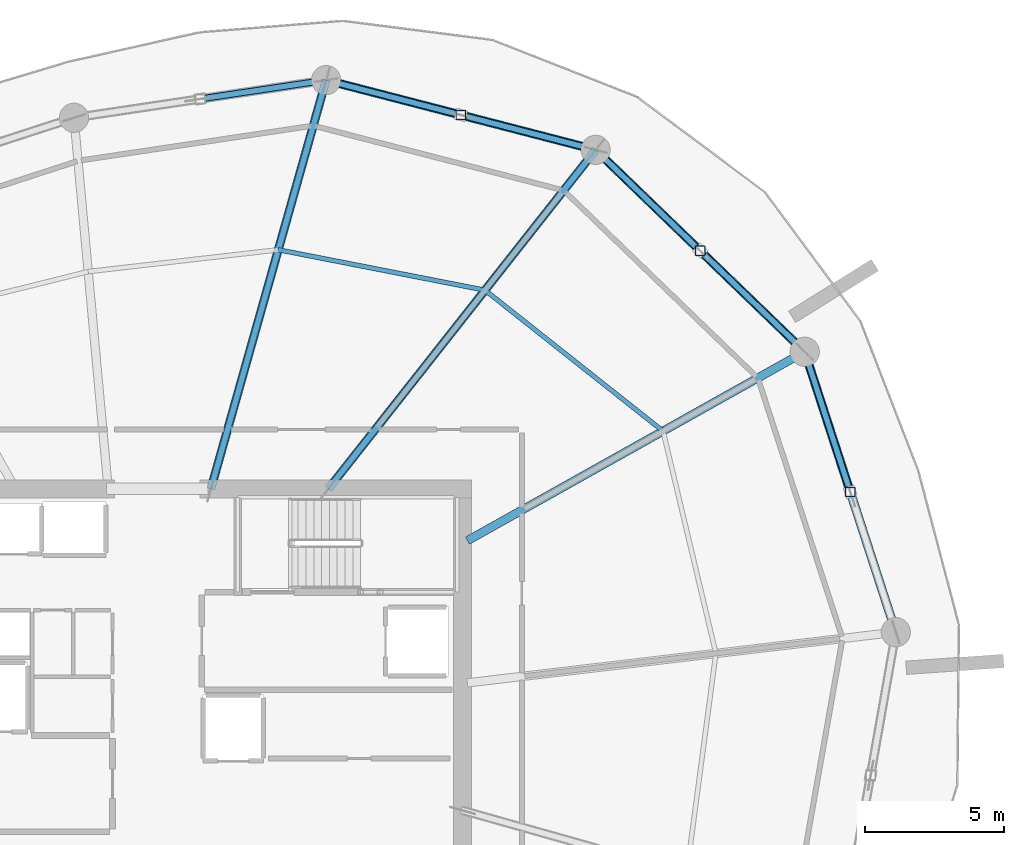
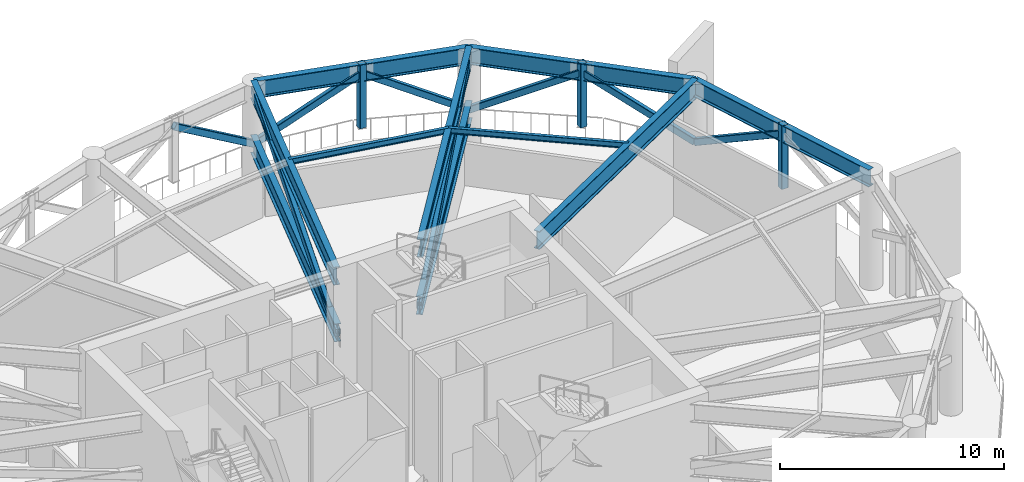
# One storey, part 8 of 20: 11 members, 10 beams.
"""IFC4 building model written with IfcOpenShell, lengths in metres."""

from ifc_helpers import new_model, si_unit, direction, frame, origin, origin_2d, place, context, subcontext, project, spatial, hollow_rectangle, i_section, extrude, material, material_profile, profile_set, type_object, element, save


model = new_model("IFC4")

# Units and contexts
model_context = context("Model", 3, precision=1e-05, world=origin(), true_north=direction((0.0, 1.0)))
body_context = subcontext(model_context, "Body", "Model", "MODEL_VIEW")
ifc_project = project(units=[si_unit("LENGTHUNIT", "METRE"), si_unit("AREAUNIT", "SQUARE_METRE"), si_unit("VOLUMEUNIT", "CUBIC_METRE"), si_unit("PLANEANGLEUNIT", "RADIAN"), si_unit("MASSUNIT", "GRAM", prefix="KILO")], contexts=[model_context])

# Site, building, storey
site_placement = place(None, origin())
site = spatial("IfcSite", under=ifc_project, at=site_placement, CompositionType="ELEMENT")
building_placement = place(site_placement, origin())
building = spatial("IfcBuilding", under=site, at=building_placement, Name="Kazma Halo Residences", CompositionType="ELEMENT")
storey_placement = place(building_placement, frame((0.0, 0.0, 225.300048828125)))
storey = spatial("IfcBuildingStorey", under=building, at=storey_placement, Name="L57", CompositionType="ELEMENT", Elevation=225.300048828125)

# Beams
ifc_material = material(Name="Steel S355", Category="steel")
ifc_material_profile_1 = material_profile(ifc_material, i_section(OverallWidth=0.30908203125, OverallDepth=0.931884765625, WebThickness=0.02099609375, FlangeThickness=0.034423828125, FilletRadius=0.02392578125, at=origin_2d()), Name="W920x313")
ifc_profile_set_1 = profile_set([ifc_material_profile_1], Name="Steel S355")
beam_type_1 = type_object("IfcBeamType", Name="BM-BELT-W920A", PredefinedType="BEAM", material=ifc_profile_set_1)
beam_1_placement = place(storey_placement, frame((71.647705078125, 55.243408203125, 5.81396484375), z_axis=(-0.719341330106, 0.694656786335, 0.0), x_axis=(-0.694656786335, -0.719341330106, 0.0)))
element("IfcBeam", 1, at=beam_1_placement, inside=storey, type_object=beam_type_1, Name="L57 perimeter ring beam 01", PredefinedType="BEAM", context=body_context, shape_type="SweptSolid", body=[
    extrude(i_section(OverallWidth=0.30908203125, OverallDepth=0.931884765625, WebThickness=0.02099609375, FlangeThickness=0.034423828125, FilletRadius=0.02392578125, at=origin_2d()), origin(), (0.0, 0.0, 1.0), 10.424560546875),
])
beam_2_placement = place(storey_placement, frame((64.14892578125, 62.48486328125, 5.81396484375), z_axis=(-0.968126571525, 0.25046145713, 0.0), x_axis=(-0.25046145713, -0.968126571525, 0.0)))
element("IfcBeam", 2, at=beam_2_placement, inside=storey, type_object=beam_type_1, Name="L57 perimeter ring beam 02", PredefinedType="BEAM", context=body_context, shape_type="SweptSolid", body=[
    extrude(i_section(OverallWidth=0.30908203125, OverallDepth=0.931884765625, WebThickness=0.02099609375, FlangeThickness=0.034423828125, FilletRadius=0.02392578125, at=origin_2d()), origin(), (0.0, 0.0, 1.0), 9.984619140625),
])
beam_3_placement = place(storey_placement, frame((74.91552734375, 45.185791015625, 5.81396484375), z_axis=(-0.309008812801, 0.951059174611, 0.0), x_axis=(-0.951059174611, -0.309008812801, 0.0)))
element("IfcBeam", 3, at=beam_3_placement, inside=storey, type_object=beam_type_1, Name="L57 perimeter ring beam 16", PredefinedType="BEAM", context=body_context, shape_type="SweptSolid", body=[
    extrude(i_section(OverallWidth=0.30908203125, OverallDepth=0.931884765625, WebThickness=0.02099609375, FlangeThickness=0.034423828125, FilletRadius=0.02392578125, at=origin_2d()), origin(), (0.0, 0.0, 1.0), 10.5751953125),
])
ifc_material_profile_2 = material_profile(ifc_material, i_section(OverallWidth=0.300048828125, OverallDepth=0.98193359375, WebThickness=0.0166015625, FlangeThickness=0.032958984375, FilletRadius=0.02587890625, at=origin_2d()), Name="W1000x296")
ifc_profile_set_2 = profile_set([ifc_material_profile_2], Name="Steel S355")
beam_type_2 = type_object("IfcBeamType", Name="BM-OUTR-W1000C", PredefinedType="BEAM", material=ifc_profile_set_2)
beam_4_placement = place(storey_placement, frame((59.550048828125, 48.46826171875, 5.7890625), z_axis=(0.872491903768, 0.488628568402, 0.0), x_axis=(-0.488628568402, 0.872491903768, 0.0)))
element("IfcBeam", 4, at=beam_4_placement, inside=storey, type_object=beam_type_2, Name="L57 radial floor beam 01", PredefinedType="BEAM", context=body_context, shape_type="SweptSolid", body=[
    extrude(i_section(OverallWidth=0.300048828125, OverallDepth=0.98193359375, WebThickness=0.0166015625, FlangeThickness=0.032958984375, FilletRadius=0.02587890625, at=origin_2d()), origin(), (0.0, 0.0, 1.0), 13.86572265625),
])
beam_5_placement = place(storey_placement, frame((54.700927734375, 50.5, 5.7890625), z_axis=(0.619089651904, 0.785320318663, 0.0), x_axis=(-0.785320318663, 0.619089651904, 0.0)))
element("IfcBeam", 5, at=beam_5_placement, inside=storey, type_object=beam_type_2, Name="L57 radial floor beam 02", PredefinedType="BEAM", context=body_context, shape_type="SweptSolid", body=[
    extrude(i_section(OverallWidth=0.300048828125, OverallDepth=0.98193359375, WebThickness=0.0166015625, FlangeThickness=0.032958984375, FilletRadius=0.02587890625, at=origin_2d()), origin(), (0.0, 0.0, 1.0), 15.26123046875),
])
beam_6_placement = place(storey_placement, frame((50.397216796875, 50.5, 5.7890625), z_axis=(0.27144590968, 0.96245369661, 0.0), x_axis=(-0.96245369661, 0.27144590968, 0.0)))
element("IfcBeam", 6, at=beam_6_placement, inside=storey, type_object=beam_type_2, Name="L57 radial floor beam 03", PredefinedType="BEAM", context=body_context, shape_type="SweptSolid", body=[
    extrude(i_section(OverallWidth=0.300048828125, OverallDepth=0.98193359375, WebThickness=0.0166015625, FlangeThickness=0.032958984375, FilletRadius=0.02587890625, at=origin_2d()), origin(), (0.0, 0.0, 1.0), 15.05078125),
])
beam_7_placement = place(storey_placement, frame((54.56298828125, 50.324951171875, 2.820068359375), z_axis=(0.61908740697, 0.785322088401, 0.0), x_axis=(-0.785322088401, 0.61908740697, 0.0)))
element("IfcBeam", 7, at=beam_7_placement, inside=storey, type_object=beam_type_2, Name="L57 radial outrigger bottom chord 01", PredefinedType="BEAM", context=body_context, shape_type="SweptSolid", body=[
    extrude(i_section(OverallWidth=0.300048828125, OverallDepth=0.98193359375, WebThickness=0.0166015625, FlangeThickness=0.032958984375, FilletRadius=0.02587890625, at=origin_2d()), origin(), (0.0, 0.0, 1.0), 15.48388671875),
])
beam_8_placement = place(storey_placement, frame((50.347900390625, 50.324951171875, 2.820068359375), z_axis=(0.271442653752, 0.962454614891, 0.0), x_axis=(-0.962454614891, 0.271442653752, 0.0)))
element("IfcBeam", 8, at=beam_8_placement, inside=storey, type_object=beam_type_2, Name="L57 radial outrigger bottom chord 02", PredefinedType="BEAM", context=body_context, shape_type="SweptSolid", body=[
    extrude(i_section(OverallWidth=0.300048828125, OverallDepth=0.98193359375, WebThickness=0.0166015625, FlangeThickness=0.032958984375, FilletRadius=0.02587890625, at=origin_2d()), origin(), (0.0, 0.0, 1.0), 15.232666015625),
])
ifc_material_profile_3 = material_profile(ifc_material, i_section(OverallWidth=0.1650390625, OverallDepth=0.31005859375, WebThickness=0.005859375, FlangeThickness=0.009765625, FilletRadius=0.011962890625, at=origin_2d()), Name="W310x38.7")
ifc_profile_set_3 = profile_set([ifc_material_profile_3], Name="Steel S355")
beam_type_3 = type_object("IfcBeamType", Name="BM-SEC-W310B", PredefinedType="JOIST", material=ifc_profile_set_3)
beam_9_placement = place(storey_placement, frame((66.566650390625, 52.397705078125, 6.125), z_axis=(-0.784171645118, 0.620543979902, 0.0), x_axis=(-0.620543979902, -0.784171645118, 0.0)))
element("IfcBeam", 9, at=beam_9_placement, inside=storey, type_object=beam_type_3, Name="L57 circumferential floor joist 01", PredefinedType="JOIST", context=body_context, shape_type="SweptSolid", body=[
    extrude(i_section(OverallWidth=0.1650390625, OverallDepth=0.31005859375, WebThickness=0.005859375, FlangeThickness=0.009765625, FilletRadius=0.011962890625, at=origin_2d()), origin(), (0.0, 0.0, 1.0), 8.1435546875),
])
beam_10_placement = place(storey_placement, frame((60.1806640625, 57.451171875, 6.125), z_axis=(-0.981396096727, 0.191994013786, 0.0), x_axis=(-0.191994013786, -0.981396096727, 0.0)))
element("IfcBeam", 10, at=beam_10_placement, inside=storey, type_object=beam_type_3, Name="L57 circumferential floor joist 02", PredefinedType="JOIST", context=body_context, shape_type="SweptSolid", body=[
    extrude(i_section(OverallWidth=0.1650390625, OverallDepth=0.31005859375, WebThickness=0.005859375, FlangeThickness=0.009765625, FilletRadius=0.011962890625, at=origin_2d()), origin(), (0.0, 0.0, 1.0), 7.5546875),
])

# Members
ifc_material_profile_4 = material_profile(ifc_material, hollow_rectangle(XDim=0.25, YDim=0.35009765625, WallThickness=0.01611328125, InnerFilletRadius=0.01611328125, OuterFilletRadius=0.031982421875, at=origin_2d()), Name="RHS350x250x16")
ifc_profile_set_4 = profile_set([ifc_material_profile_4], Name="Steel S355")
member_type_1 = type_object("IfcMemberType", Name="MBR-BELT-RHS350", PredefinedType="BRACE", material=ifc_profile_set_4)
for number, where, z_axis, x_axis, name in (
    (11, (71.647705078125, 55.243408203125, 2.820068359375), (-0.626566589799, 0.605025558453, 0.49128238536), (-0.69463296451, -0.719364333712, 0.0), "L57 belt-truss chevron diagonal 01A"),
    (12, (64.14892578125, 62.48486328125, 2.820068359375), (0.626526341952, -0.605066886598, 0.491282816291), (0.694680607426, 0.719318325685, 0.0), "L57 belt-truss chevron diagonal 01B"),
):
    element("IfcMember", number, at=place(storey_placement, frame(where, z_axis=z_axis, x_axis=x_axis)), inside=storey, type_object=member_type_1, Name=name, PredefinedType="BRACE", context=body_context, shape_type="SweptSolid", body=[
        extrude(hollow_rectangle(XDim=0.25, YDim=0.35009765625, WallThickness=0.01611328125, InnerFilletRadius=0.01611328125, OuterFilletRadius=0.031982421875, at=origin_2d()), origin(), (0.0, 0.0, 1.0), 5.984130859375),
    ])
member_1_placement = place(storey_placement, frame((64.14892578125, 62.48486328125, 2.820068359375), z_axis=(-0.834228790911, 0.215794597073, 0.507439667634), x_axis=(-0.250432610384, -0.968134033932, 0.0)))
element("IfcMember", 13, at=member_1_placement, inside=storey, type_object=member_type_1, Name="L57 belt-truss chevron diagonal 02A", PredefinedType="BRACE", context=body_context, shape_type="SweptSolid", body=[
    extrude(hollow_rectangle(XDim=0.25, YDim=0.35009765625, WallThickness=0.01611328125, InnerFilletRadius=0.01611328125, OuterFilletRadius=0.031982421875, at=origin_2d()), origin(), (0.0, 0.0, 1.0), 5.793701171875),
])
member_2_placement = place(storey_placement, frame((54.482666015625, 64.985595703125, 2.820068359375), z_axis=(0.834208390276, -0.21584236083, 0.507452891276), x_axis=(0.250490304666, 0.968119107997, 0.0)))
element("IfcMember", 14, at=member_2_placement, inside=storey, type_object=member_type_1, Name="L57 belt-truss chevron diagonal 02B", PredefinedType="BRACE", context=body_context, shape_type="SweptSolid", body=[
    extrude(hollow_rectangle(XDim=0.25, YDim=0.35009765625, WallThickness=0.01611328125, InnerFilletRadius=0.01611328125, OuterFilletRadius=0.031982421875, at=origin_2d()), origin(), (0.0, 0.0, 1.0), 5.79345703125),
])
member_3_placement = place(storey_placement, frame((54.482666015625, 64.985595703125, 2.820068359375), z_axis=(-0.831879162997, -0.124236151658, 0.540871922726), x_axis=(0.147705883016, -0.989031330203, 0.0)))
element("IfcMember", 15, at=member_3_placement, inside=storey, type_object=member_type_1, Name="L57 belt-truss chevron diagonal 03A", PredefinedType="BRACE", context=body_context, shape_type="SweptSolid", body=[
    extrude(hollow_rectangle(XDim=0.25, YDim=0.35009765625, WallThickness=0.01611328125, InnerFilletRadius=0.01611328125, OuterFilletRadius=0.031982421875, at=origin_2d()), origin(), (0.0, 0.0, 1.0), 5.435546875),
])
member_4_placement = place(storey_placement, frame((71.647705078125, 55.243408203125, 2.820068359375), z_axis=(0.270051696482, -0.831220090277, 0.485947777799), x_axis=(0.951065959134, 0.308987930795, 0.0)))
element("IfcMember", 16, at=member_4_placement, inside=storey, type_object=member_type_1, Name="L57 belt-truss chevron diagonal 16B", PredefinedType="BRACE", context=body_context, shape_type="SweptSolid", body=[
    extrude(hollow_rectangle(XDim=0.25, YDim=0.35009765625, WallThickness=0.01611328125, InnerFilletRadius=0.01611328125, OuterFilletRadius=0.031982421875, at=origin_2d()), origin(), (0.0, 0.0, 1.0), 6.0498046875),
])
ifc_material_profile_5 = material_profile(ifc_material, hollow_rectangle(XDim=0.25, YDim=0.449951171875, WallThickness=0.01611328125, InnerFilletRadius=0.01611328125, OuterFilletRadius=0.031982421875, at=origin_2d()), Name="RHS450x250x16")
ifc_profile_set_5 = profile_set([ifc_material_profile_5], Name="Steel S355")
member_type_2 = type_object("IfcMemberType", Name="MBR-OUTR-RHS450", PredefinedType="BRACE", material=ifc_profile_set_5)
member_5_placement = place(storey_placement, frame((54.56298828125, 50.324951171875, 2.820068359375), z_axis=(0.608221115735, 0.771538027491, 0.186537252335), x_axis=(-0.785322088401, 0.61908740697, 0.0)))
element("IfcMember", 17, at=member_5_placement, inside=storey, type_object=member_type_2, Name="L57 radial outrigger truss brace 01", PredefinedType="BRACE", context=body_context, shape_type="SweptSolid", body=[
    extrude(hollow_rectangle(XDim=0.25, YDim=0.449951171875, WallThickness=0.01611328125, InnerFilletRadius=0.01611328125, OuterFilletRadius=0.031982421875, at=origin_2d()), origin(), (0.0, 0.0, 1.0), 15.760498046875),
])
member_6_placement = place(storey_placement, frame((50.347900390625, 50.324951171875, 2.820068359375), z_axis=(0.266523969388, 0.94501442854, 0.189506473747), x_axis=(-0.962454614891, 0.271442653752, 0.0)))
element("IfcMember", 18, at=member_6_placement, inside=storey, type_object=member_type_2, Name="L57 radial outrigger truss brace 02", PredefinedType="BRACE", context=body_context, shape_type="SweptSolid", body=[
    extrude(hollow_rectangle(XDim=0.25, YDim=0.449951171875, WallThickness=0.01611328125, InnerFilletRadius=0.01611328125, OuterFilletRadius=0.031982421875, at=origin_2d()), origin(), (0.0, 0.0, 1.0), 15.513671875),
])
ifc_material_profile_6 = material_profile(ifc_material, hollow_rectangle(XDim=0.35009765625, YDim=0.35009765625, WallThickness=0.01611328125, InnerFilletRadius=0.01611328125, OuterFilletRadius=0.031982421875, at=origin_2d()), Name="SHS350x350x16")
ifc_profile_set_6 = profile_set([ifc_material_profile_6], Name="Steel S355")
member_type_3 = type_object("IfcMemberType", Name="MBR-POST-SHS350", PredefinedType="STRUT", material=ifc_profile_set_6)
for number, where, z_axis, x_axis, name in (
    (19, (67.898193359375, 58.864013671875, 2.820068359375), (0.0, 0.0, 1.0), (1.0, 0.0, 0.0), "L57 belt-truss web post 01"),
    (20, (59.315673828125, 63.735107421875, 2.820068359375), (0.0, 0.0, 1.0), (1.0, 0.0, 0.0), "L57 belt-truss web post 02"),
    (21, (73.281494140625, 50.214599609375, 2.820068359375), (0.0, 0.0, 1.0), (1.0, 0.0, 0.0), "L57 belt-truss web post 16"),
):
    element("IfcMember", number, at=place(storey_placement, frame(where, z_axis=z_axis, x_axis=x_axis)), inside=storey, type_object=member_type_3, Name=name, PredefinedType="STRUT", context=body_context, shape_type="SweptSolid", body=[
        extrude(hollow_rectangle(XDim=0.35009765625, YDim=0.35009765625, WallThickness=0.01611328125, InnerFilletRadius=0.01611328125, OuterFilletRadius=0.031982421875, at=origin_2d()), origin(), (0.0, 0.0, 1.0), 3.4599609375),
    ])

save(model, "model.ifc")
